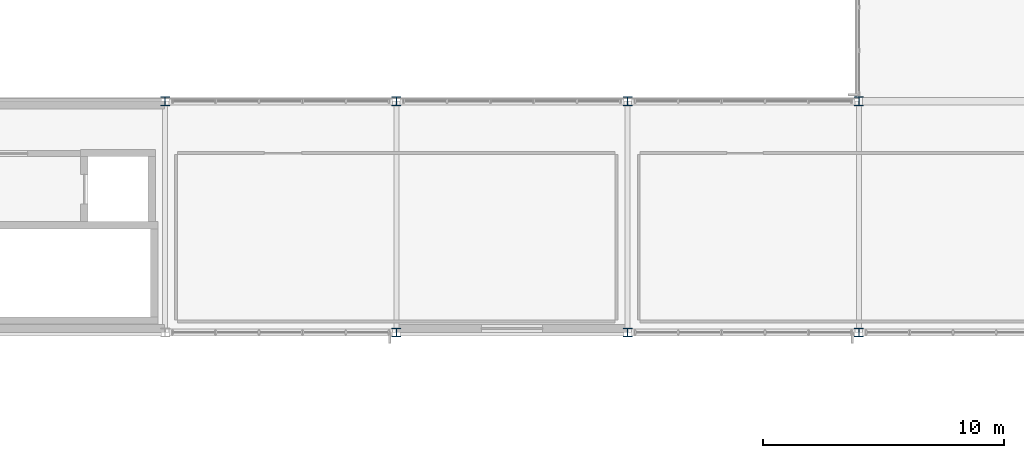
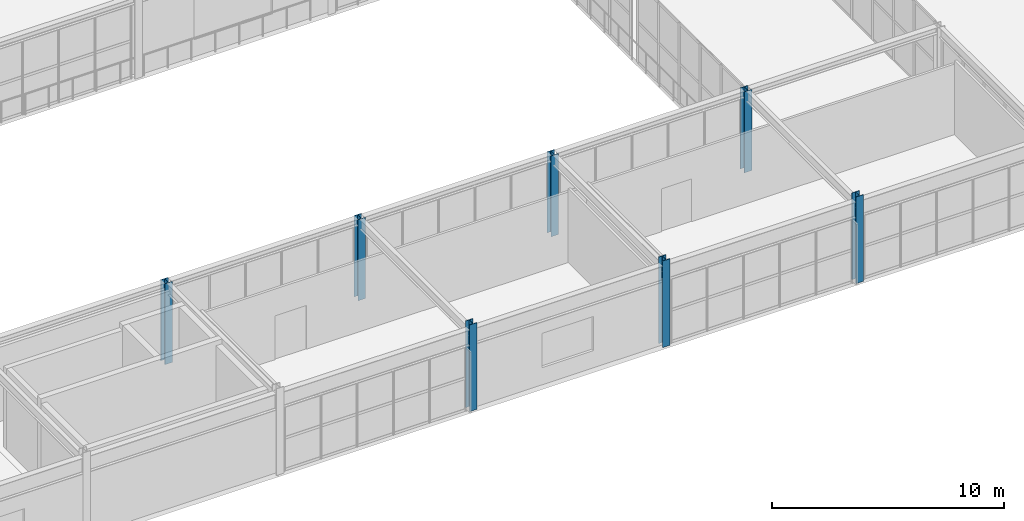
# One storey, part 6 of 170: 7 columns.
"""IFC4 building model written with IfcOpenShell, lengths in metres."""

from ifc_helpers import new_model, si_unit, direction, frame, origin, origin_2d, place, context, subcontext, project, spatial, i_section, extrude, material, material_profile, profile_set, type_object, element, save


model = new_model("IFC4")

# Units and contexts
model_context = context("Model", 3, precision=1e-05, world=origin(), true_north=direction((0.0, 1.0)))
body_context = subcontext(model_context, "Body", "Model", "MODEL_VIEW")
ifc_project = project(units=[si_unit("LENGTHUNIT", "METRE"), si_unit("AREAUNIT", "SQUARE_METRE"), si_unit("VOLUMEUNIT", "CUBIC_METRE"), si_unit("PLANEANGLEUNIT", "RADIAN"), si_unit("MASSUNIT", "GRAM", prefix="KILO")], contexts=[model_context])

# Site, building, storey
site_placement = place(None, origin())
site = spatial("IfcSite", under=ifc_project, at=site_placement, CompositionType="ELEMENT")
building_placement = place(site_placement, origin())
building = spatial("IfcBuilding", under=site, at=building_placement, Name="Coralgate Yard Interchange", CompositionType="ELEMENT")
storey_placement = place(building_placement, frame((0.0, 0.0, 6.0)))
storey = spatial("IfcBuildingStorey", under=building, at=storey_placement, Name="L01", CompositionType="ELEMENT", Elevation=6.0)

# Columns
ifc_material = material(Name="Structural steel S355J2", Category="steel")
ifc_material_profile = material_profile(ifc_material, i_section(OverallWidth=0.37255859375, OverallDepth=0.3681640625, WebThickness=0.014404296875, FlangeThickness=0.023681640625, FilletRadius=0.01513671875, at=origin_2d()), Name="UC 356x368x177")
ifc_profile_set = profile_set([ifc_material_profile], Name="Structural steel S355J2")
column_type = type_object("IfcColumnType", Name="COL-SC-3", PredefinedType="COLUMN", material=ifc_profile_set)
column_1_placement = place(storey_placement, frame((96.0, 48.0, 0.0), z_axis=(0.0, 0.0, 1.0), x_axis=(1.0, 0.0, 0.0)))
element("IfcColumn", 1, at=column_1_placement, inside=storey, type_object=column_type, Name="L01 structural column 10-5", PredefinedType="COLUMN", context=body_context, shape_type="SweptSolid", body=[
    extrude(i_section(OverallWidth=0.37255859375, OverallDepth=0.3681640625, WebThickness=0.014404296875, FlangeThickness=0.023681640625, FilletRadius=0.01513671875, at=origin_2d()), origin(), (0.0, 0.0, 1.0), 4.25),
])
column_2_placement = place(storey_placement, frame((105.60009765625, 38.39990234375, 0.0), z_axis=(0.0, 0.0, 1.0), x_axis=(1.0, 0.0, 0.0)))
element("IfcColumn", 2, at=column_2_placement, inside=storey, type_object=column_type, Name="L01 structural column 11-4", PredefinedType="COLUMN", context=body_context, shape_type="SweptSolid", body=[
    extrude(i_section(OverallWidth=0.37255859375, OverallDepth=0.3681640625, WebThickness=0.014404296875, FlangeThickness=0.023681640625, FilletRadius=0.01513671875, at=origin_2d()), origin(), (0.0, 0.0, 1.0), 4.550048828125),
])
column_3_placement = place(storey_placement, frame((105.60009765625, 48.0, 0.0), z_axis=(0.0, 0.0, 1.0), x_axis=(1.0, 0.0, 0.0)))
element("IfcColumn", 3, at=column_3_placement, inside=storey, type_object=column_type, Name="L01 structural column 11-5", PredefinedType="COLUMN", context=body_context, shape_type="SweptSolid", body=[
    extrude(i_section(OverallWidth=0.37255859375, OverallDepth=0.3681640625, WebThickness=0.014404296875, FlangeThickness=0.023681640625, FilletRadius=0.01513671875, at=origin_2d()), origin(), (0.0, 0.0, 1.0), 4.25),
])
column_4_placement = place(storey_placement, frame((115.199951171875, 38.39990234375, 0.0), z_axis=(0.0, 0.0, 1.0), x_axis=(1.0, 0.0, 0.0)))
element("IfcColumn", 4, at=column_4_placement, inside=storey, type_object=column_type, Name="L01 structural column 12-4", PredefinedType="COLUMN", context=body_context, shape_type="SweptSolid", body=[
    extrude(i_section(OverallWidth=0.37255859375, OverallDepth=0.3681640625, WebThickness=0.014404296875, FlangeThickness=0.023681640625, FilletRadius=0.01513671875, at=origin_2d()), origin(), (0.0, 0.0, 1.0), 4.550048828125),
])
column_5_placement = place(storey_placement, frame((115.199951171875, 48.0, 0.0), z_axis=(0.0, 0.0, 1.0), x_axis=(1.0, 0.0, 0.0)))
element("IfcColumn", 5, at=column_5_placement, inside=storey, type_object=column_type, Name="L01 structural column 12-5", PredefinedType="COLUMN", context=body_context, shape_type="SweptSolid", body=[
    extrude(i_section(OverallWidth=0.37255859375, OverallDepth=0.3681640625, WebThickness=0.014404296875, FlangeThickness=0.023681640625, FilletRadius=0.01513671875, at=origin_2d()), origin(), (0.0, 0.0, 1.0), 4.25),
])
column_6_placement = place(storey_placement, frame((124.800048828125, 38.39990234375, 0.0), z_axis=(0.0, 0.0, 1.0), x_axis=(1.0, 0.0, 0.0)))
element("IfcColumn", 6, at=column_6_placement, inside=storey, type_object=column_type, Name="L01 structural column 13-4", PredefinedType="COLUMN", context=body_context, shape_type="SweptSolid", body=[
    extrude(i_section(OverallWidth=0.37255859375, OverallDepth=0.3681640625, WebThickness=0.014404296875, FlangeThickness=0.023681640625, FilletRadius=0.01513671875, at=origin_2d()), origin(), (0.0, 0.0, 1.0), 4.550048828125),
])
column_7_placement = place(storey_placement, frame((124.800048828125, 48.0, 0.0), z_axis=(0.0, 0.0, 1.0), x_axis=(1.0, 0.0, 0.0)))
element("IfcColumn", 7, at=column_7_placement, inside=storey, type_object=column_type, Name="L01 structural column 13-5", PredefinedType="COLUMN", context=body_context, shape_type="SweptSolid", body=[
    extrude(i_section(OverallWidth=0.37255859375, OverallDepth=0.3681640625, WebThickness=0.014404296875, FlangeThickness=0.023681640625, FilletRadius=0.01513671875, at=origin_2d()), origin(), (0.0, 0.0, 1.0), 4.25),
])

save(model, "model.ifc")
